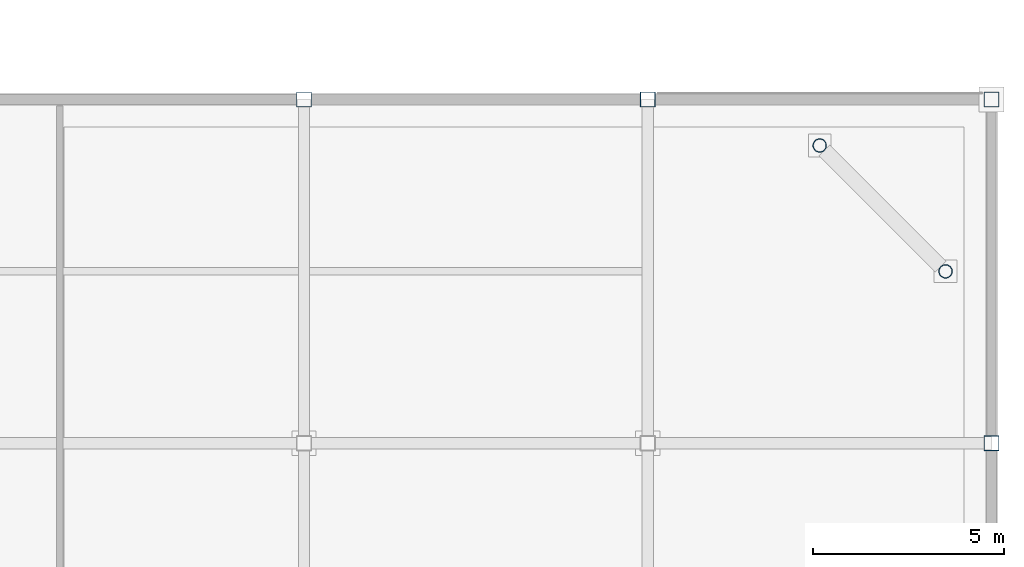
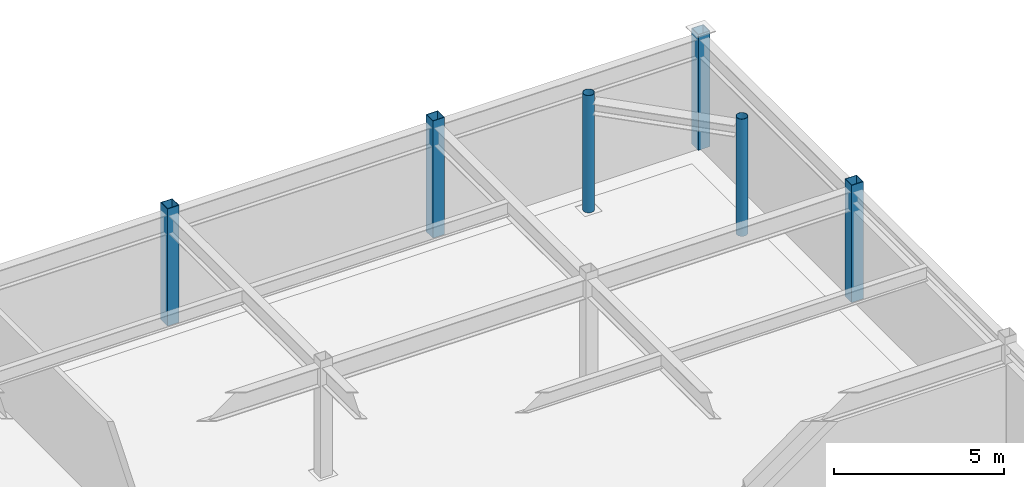
# One storey, part 14 of 53: 6 columns.
"""IFC4 building model written with IfcOpenShell, lengths in metres."""

from ifc_helpers import new_model, si_unit, direction, frame, origin, origin_2d, place, context, subcontext, project, spatial, hollow_rectangle, hollow_circle, extrude, material, material_profile, profile_set, type_object, element, save


model = new_model("IFC4")

# Units and contexts
model_context = context("Model", 3, precision=1e-05, world=origin(), true_north=direction((0.0, 1.0)))
body_context = subcontext(model_context, "Body", "Model", "MODEL_VIEW")
ifc_project = project(units=[si_unit("LENGTHUNIT", "METRE"), si_unit("AREAUNIT", "SQUARE_METRE"), si_unit("VOLUMEUNIT", "CUBIC_METRE"), si_unit("PLANEANGLEUNIT", "RADIAN"), si_unit("MASSUNIT", "GRAM", prefix="KILO")], contexts=[model_context])

# Site, building, storey
site_placement = place(None, origin())
site = spatial("IfcSite", under=ifc_project, at=site_placement, CompositionType="ELEMENT")
building_placement = place(site_placement, origin())
building = spatial("IfcBuilding", under=site, at=building_placement, Name="Suzunagisa Mobility Hub", CompositionType="ELEMENT")
storey_placement = place(building_placement, frame((0.0, 0.0, 17.699951171875)))
storey = spatial("IfcBuildingStorey", under=building, at=storey_placement, Name="L04", CompositionType="ELEMENT", Elevation=17.699951171875)

# Columns
ifc_material = material(Name="Steel SN490B", Category="steel")
ifc_material_profile_1 = material_profile(ifc_material, hollow_rectangle(XDim=0.39990234375, YDim=0.39990234375, WallThickness=0.01904296875, at=origin_2d()), Name="BCR-400x400x19")
ifc_profile_set_1 = profile_set([ifc_material_profile_1], Name="Steel SN490B")
column_type_1 = type_object("IfcColumnType", Name="Steel Column CL-13 BCR-400x400x19", PredefinedType="COLUMN", material=ifc_profile_set_1)
for number, where, z_axis, x_axis, name in (
    (1, (162.0, 98.0, 0.0), (0.0, 0.0, 1.0), (1.0, 0.0, 0.0), "L04 Column 294"),
    (2, (171.0, 98.0, 0.0), (0.0, 0.0, 1.0), (1.0, 0.0, 0.0), "L04 Column 307"),
    (3, (180.0, 89.0, 0.0), (0.0, 0.0, 1.0), (1.0, 0.0, 0.0), "L04 Column 330"),
):
    element("IfcColumn", number, at=place(storey_placement, frame(where, z_axis=z_axis, x_axis=x_axis)), inside=storey, type_object=column_type_1, Name=name, PredefinedType="COLUMN", context=body_context, shape_type="SweptSolid", body=[
        extrude(hollow_rectangle(XDim=0.39990234375, YDim=0.39990234375, WallThickness=0.01904296875, at=origin_2d()), origin(), (0.0, 0.0, 1.0), 4.199951171875),
    ])
column_placement = place(storey_placement, frame((180.0, 98.0, 0.0), z_axis=(0.0, 0.0, 1.0), x_axis=(1.0, 0.0, 0.0)))
element("IfcColumn", 4, at=column_placement, inside=storey, type_object=column_type_1, Name="L04 Column 331", PredefinedType="COLUMN", context=body_context, shape_type="SweptSolid", body=[
    extrude(hollow_rectangle(XDim=0.39990234375, YDim=0.39990234375, WallThickness=0.01904296875, at=origin_2d()), origin(), (0.0, 0.0, 1.0), 4.14013671875),
])
ifc_material_profile_2 = material_profile(ifc_material, hollow_circle(Radius=0.177734375, WallThickness=0.0126953125, at=origin_2d()), Name="CHS-355.6x12.7")
ifc_profile_set_2 = profile_set([ifc_material_profile_2], Name="Steel SN490B")
column_type_2 = type_object("IfcColumnType", Name="Steel Column CL-18 CHS-355.6x12.7", PredefinedType="COLUMN", material=ifc_profile_set_2)
for number, where, z_axis, x_axis, name in (
    (5, (175.5, 96.794189453125, 0.0), (0.0, 0.0, 1.0), (1.0, 0.0, 0.0), "L04 Column 313"),
    (6, (178.794189453125, 93.5, 0.0), (0.0, 0.0, 1.0), (1.0, 0.0, 0.0), "L04 Column 319"),
):
    element("IfcColumn", number, at=place(storey_placement, frame(where, z_axis=z_axis, x_axis=x_axis)), inside=storey, type_object=column_type_2, Name=name, PredefinedType="COLUMN", context=body_context, shape_type="SweptSolid", body=[
        extrude(hollow_circle(Radius=0.177734375, WallThickness=0.0126953125, at=origin_2d()), origin(), (0.0, 0.0, 1.0), 4.199951171875),
    ])

save(model, "model.ifc")
